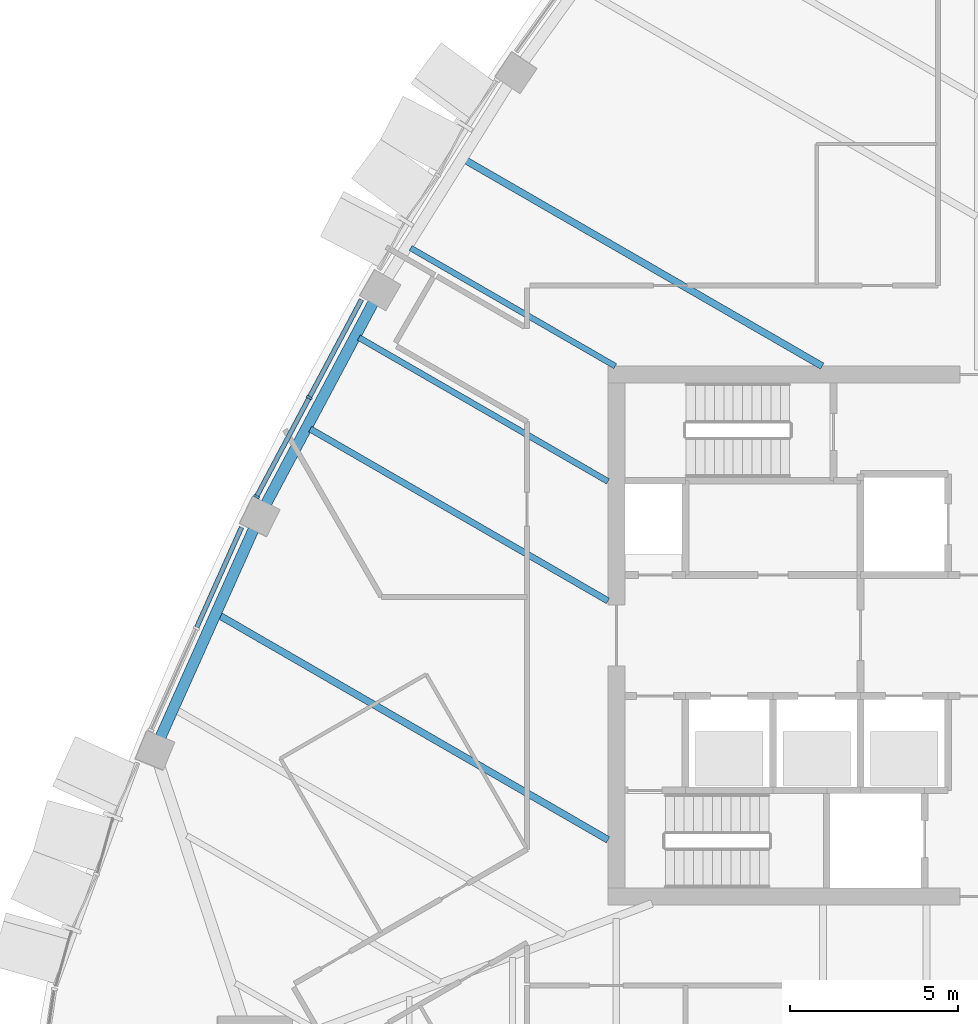
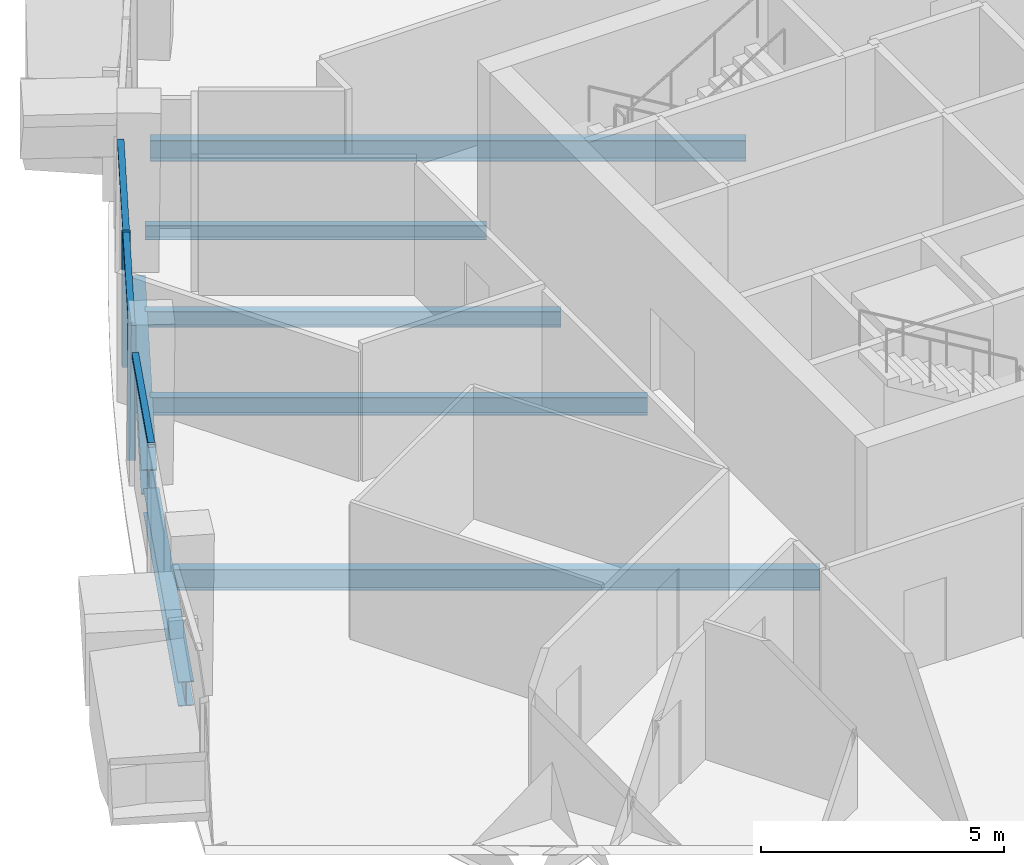
# One storey, part 4 of 21: 7 beams, 5 members, 2 elements without a shape of their own.
"""IFC4 building model written with IfcOpenShell, lengths in metres."""

from ifc_helpers import new_model, si_unit, direction, frame, origin, origin_2d, place, context, subcontext, project, spatial, rectangle, i_section, extrude, material, layer, layer_set, material_profile, profile_set, type_object, element, aggregate, save


model = new_model("IFC4")

# Units and contexts
model_context = context("Model", 3, precision=1e-05, world=origin(), true_north=direction((0.0, 1.0)))
body_context = subcontext(model_context, "Body", "Model", "MODEL_VIEW")
ifc_project = project(units=[si_unit("LENGTHUNIT", "METRE"), si_unit("AREAUNIT", "SQUARE_METRE"), si_unit("VOLUMEUNIT", "CUBIC_METRE"), si_unit("PLANEANGLEUNIT", "RADIAN"), si_unit("MASSUNIT", "GRAM", prefix="KILO")], contexts=[model_context])

# Site, building, storey
site_placement = place(None, origin())
site = spatial("IfcSite", under=ifc_project, at=site_placement, CompositionType="ELEMENT")
building_placement = place(site_placement, origin())
building = spatial("IfcBuilding", under=site, at=building_placement, Name="Sierra Prisma Convention Tower", CompositionType="ELEMENT")
storey_placement = place(building_placement, frame((0.0, 0.0, 259.0)))
storey = spatial("IfcBuildingStorey", under=building, at=storey_placement, Name="L58", CompositionType="ELEMENT", Elevation=259.0)

# Curtain wall, members
ifc_material_1 = material(Name="Aluminium and glass curtain wall", Category="aluminium")
ifc_layer = layer(ifc_material_1, 0.179931640625)
ifc_layer_set = layer_set([ifc_layer], Name="CW-1 Plain shaft curtain wall")
curtain_wall_type = type_object("IfcCurtainWallType", Name="CW-1 Plain shaft curtain wall", PredefinedType="NOTDEFINED", material=ifc_layer_set)
curtain_wall_1_placement = place(storey_placement, origin())
curtain_wall_1 = element("IfcCurtainWall", 1, at=curtain_wall_1_placement, inside=storey, type_object=curtain_wall_type, Name="CW-1 NW4 L58", PredefinedType="NOTDEFINED")
ifc_material_2 = material(Name="Aluminium 6063-T6 bronze anodised", Category="aluminium")
ifc_material_profile_1 = material_profile(ifc_material_2, rectangle(XDim=0.179931640625, YDim=0.070068359375, at=origin_2d()), Name="ALU MULLION 70x180")
ifc_profile_set_1 = profile_set([ifc_material_profile_1], Name="Aluminium 6063-T6 bronze anodised")
member_type_1 = type_object("IfcMemberType", Name="CW mullion bronze", PredefinedType="MULLION", material=ifc_profile_set_1)
member_1_placement = place(storey_placement, frame((-19.870849609375, 7.067138671875, 0.0), z_axis=(0.0, 0.0, 1.0), x_axis=(0.882632882118, -0.470062969616, 0.0)))
member_1 = element("IfcMember", 2, at=member_1_placement, type_object=member_type_1, Name="CW-1 mullion NW4.2", PredefinedType="MULLION", context=body_context, shape_type="SweptSolid", body=[
    extrude(rectangle(XDim=0.179931640625, YDim=0.070068359375, at=origin_2d()), origin(), (0.0, 0.0, 1.0), 3.39990234375),
])
member_2_placement = place(storey_placement, frame((-21.437255859375, 4.1259765625, 0.0), z_axis=(0.0, 0.0, 1.0), x_axis=(0.882632882118, -0.470062969616, 0.0)))
member_2 = element("IfcMember", 3, at=member_2_placement, type_object=member_type_1, Name="CW-1 mullion NW4.3", PredefinedType="MULLION", context=body_context, shape_type="SweptSolid", body=[
    extrude(rectangle(XDim=0.179931640625, YDim=0.070068359375, at=origin_2d()), origin(), (0.0, 0.0, 1.0), 3.39990234375),
])
ifc_material_3 = material(Name="Aluminium 6063-T6 bronze anodised", Category="aluminium")
ifc_material_profile_2 = material_profile(ifc_material_3, rectangle(XDim=0.139892578125, YDim=0.1201171875, at=origin_2d()), Name="ALU TRANSOM 120x140")
ifc_profile_set_2 = profile_set([ifc_material_profile_2], Name="Aluminium 6063-T6 bronze anodised")
member_type_2 = type_object("IfcMemberType", Name="CW transom bronze", PredefinedType="USERDEFINED", material=ifc_profile_set_2)
member_3_placement = place(storey_placement, frame((-18.32080078125, 9.9775390625, 3.340087890625), z_axis=(-0.470055998823, -0.882636594511, 0.0), x_axis=(0.882636594511, -0.470055998823, 0.0)))
member_3 = element("IfcMember", 4, at=member_3_placement, type_object=member_type_2, Name="CW-1 transom NW4.1", ObjectType="TRANSOM", PredefinedType="USERDEFINED", context=body_context, shape_type="SweptSolid", body=[
    extrude(rectangle(XDim=0.139892578125, YDim=0.1201171875, at=origin_2d()), origin(), (0.0, 0.0, 1.0), 3.26220703125),
])
member_4_placement = place(storey_placement, frame((-19.88720703125, 7.036376953125, 3.340087890625), z_axis=(-0.470024951246, -0.882653128475, 0.0), x_axis=(0.882653128475, -0.470024951246, 0.0)))
member_4 = element("IfcMember", 5, at=member_4_placement, type_object=member_type_2, Name="CW-1 transom NW4.2", ObjectType="TRANSOM", PredefinedType="USERDEFINED", context=body_context, shape_type="SweptSolid", body=[
    extrude(rectangle(XDim=0.139892578125, YDim=0.1201171875, at=origin_2d()), origin(), (0.0, 0.0, 1.0), 3.262451171875),
])
aggregate(curtain_wall_1, [member_1, member_2, member_3, member_4])

# Curtain wall, member
curtain_wall_2_placement = place(storey_placement, origin())
curtain_wall_2 = element("IfcCurtainWall", 6, at=curtain_wall_2_placement, inside=storey, type_object=curtain_wall_type, Name="CW-1 NW5 L58", PredefinedType="NOTDEFINED")
member_5_placement = place(storey_placement, frame((-21.88330078125, 3.21240234375, 3.340087890625), z_axis=(-0.408600217166, -0.912713461351, 0.0), x_axis=(0.912713461351, -0.408600217166, 0.0)))
member_5 = element("IfcMember", 7, at=member_5_placement, type_object=member_type_2, Name="CW-1 transom NW5.1", ObjectType="TRANSOM", PredefinedType="USERDEFINED", context=body_context, shape_type="SweptSolid", body=[
    extrude(rectangle(XDim=0.139892578125, YDim=0.1201171875, at=origin_2d()), origin(), (0.0, 0.0, 1.0), 3.246337890625),
])
aggregate(curtain_wall_2, [member_5])

# Beams
ifc_material_4 = material(Name="Steel ASTM A992 Gr 50", Category="steel")
ifc_material_profile_3 = material_profile(ifc_material_4, i_section(OverallWidth=0.172119140625, OverallDepth=0.35791015625, WebThickness=0.0078125, FlangeThickness=0.01318359375, at=origin_2d()), Name="W360x57")
ifc_profile_set_3 = profile_set([ifc_material_profile_3], Name="Steel ASTM A992 Gr 50")
beam_type_1 = type_object("IfcBeamType", Name="Floor joist W360x57", PredefinedType="JOIST", material=ifc_profile_set_3)
beam_1_placement = place(storey_placement, frame((-16.86181640625, 11.509521484375, -0.3291015625), z_axis=(0.866023400644, -0.500003469526, 0.0), x_axis=(0.500003469526, 0.866023400644, 0.0)))
element("IfcBeam", 8, at=beam_1_placement, inside=storey, type_object=beam_type_1, Name="Floor joist L58 NW07", PredefinedType="JOIST", context=body_context, shape_type="SweptSolid", body=[
    extrude(i_section(OverallWidth=0.172119140625, OverallDepth=0.35791015625, WebThickness=0.0078125, FlangeThickness=0.01318359375, at=origin_2d()), origin(), (0.0, 0.0, 1.0), 7.01904296875),
])
ifc_material_5 = material(Name="Steel ASTM A992 Gr 50", Category="steel")
ifc_material_profile_4 = material_profile(ifc_material_5, i_section(OverallWidth=0.177978515625, OverallDepth=0.406982421875, WebThickness=0.0078125, FlangeThickness=0.0126953125, at=origin_2d()), Name="W410x60")
ifc_profile_set_4 = profile_set([ifc_material_profile_4], Name="Steel ASTM A992 Gr 50")
beam_type_2 = type_object("IfcBeamType", Name="Floor joist W410x60", PredefinedType="JOIST", material=ifc_profile_set_4)
beam_2_placement = place(storey_placement, frame((-18.3984375, 8.84814453125, -0.353515625), z_axis=(0.866025682925, -0.499999516514, 0.0), x_axis=(0.499999516514, 0.866025682925, 0.0)))
element("IfcBeam", 9, at=beam_2_placement, inside=storey, type_object=beam_type_2, Name="Floor joist L58 NW08", PredefinedType="JOIST", context=body_context, shape_type="SweptSolid", body=[
    extrude(i_section(OverallWidth=0.177978515625, OverallDepth=0.406982421875, WebThickness=0.0078125, FlangeThickness=0.0126953125, at=origin_2d()), origin(), (0.0, 0.0, 1.0), 8.54296875),
])
ifc_material_6 = material(Name="Steel ASTM A992 Gr 50", Category="steel")
ifc_material_profile_5 = material_profile(ifc_material_6, i_section(OverallWidth=0.18994140625, OverallDepth=0.45703125, WebThickness=0.009033203125, FlangeThickness=0.014404296875, at=origin_2d()), Name="W460x74")
ifc_profile_set_5 = profile_set([ifc_material_profile_5], Name="Steel ASTM A992 Gr 50")
beam_type_3 = type_object("IfcBeamType", Name="Floor joist W460x74", PredefinedType="JOIST", material=ifc_profile_set_5)
beam_3_placement = place(storey_placement, frame((-19.843994140625, 6.134033203125, -0.37841796875), z_axis=(0.866030719518, -0.499990792767, 0.0), x_axis=(0.499990792767, 0.866030719518, 0.0)))
element("IfcBeam", 10, at=beam_3_placement, inside=storey, type_object=beam_type_3, Name="Floor joist L58 NW09", PredefinedType="JOIST", context=body_context, shape_type="SweptSolid", body=[
    extrude(i_section(OverallWidth=0.18994140625, OverallDepth=0.45703125, WebThickness=0.009033203125, FlangeThickness=0.014404296875, at=origin_2d()), origin(), (0.0, 0.0, 1.0), 10.212158203125),
])
ifc_material_7 = material(Name="Steel ASTM A992 Gr 50", Category="steel")
ifc_material_profile_6 = material_profile(ifc_material_7, i_section(OverallWidth=0.208984375, OverallDepth=0.532958984375, WebThickness=0.01025390625, FlangeThickness=0.015625, at=origin_2d()), Name="W530x92")
ifc_profile_set_6 = profile_set([ifc_material_profile_6], Name="Steel ASTM A992 Gr 50")
beam_type_4 = type_object("IfcBeamType", Name="Floor joist W530x92", PredefinedType="JOIST", material=ifc_profile_set_6)
beam_4_placement = place(storey_placement, frame((-15.234130859375, 14.1181640625, -0.41650390625), z_axis=(0.866029427854, -0.499993030042, 0.0), x_axis=(0.499993030042, 0.866029427854, 0.0)))
element("IfcBeam", 11, at=beam_4_placement, inside=storey, type_object=beam_type_4, Name="Floor joist L58 NW06", PredefinedType="JOIST", context=body_context, shape_type="SweptSolid", body=[
    extrude(i_section(OverallWidth=0.208984375, OverallDepth=0.532958984375, WebThickness=0.01025390625, FlangeThickness=0.015625, at=origin_2d()), origin(), (0.0, 0.0, 1.0), 12.236572265625),
])
beam_5_placement = place(storey_placement, frame((-22.547119140625, 0.59765625, -0.41650390625), z_axis=(0.86602489383, -0.500000883266, 0.0), x_axis=(0.500000883266, 0.86602489383, 0.0)))
element("IfcBeam", 12, at=beam_5_placement, inside=storey, type_object=beam_type_4, Name="Floor joist L58 NW11", PredefinedType="JOIST", context=body_context, shape_type="SweptSolid", body=[
    extrude(i_section(OverallWidth=0.208984375, OverallDepth=0.532958984375, WebThickness=0.01025390625, FlangeThickness=0.015625, at=origin_2d()), origin(), (0.0, 0.0, 1.0), 13.33349609375),
])
ifc_material_8 = material(Name="Steel ASTM A992 Gr 50", Category="steel")
ifc_material_profile_7 = material_profile(ifc_material_8, i_section(OverallWidth=0.324951171875, OverallDepth=0.615966796875, WebThickness=0.013916015625, FlangeThickness=0.021484375, at=origin_2d()), Name="W610x174")
ifc_profile_set_7 = profile_set([ifc_material_profile_7], Name="Steel ASTM A992 Gr 50")
beam_type_5 = type_object("IfcBeamType", Name="Spandrel beam W610x174", PredefinedType="BEAM", material=ifc_profile_set_7)
for number, where, z_axis, x_axis, name in (
    (13, (-17.928466796875, 9.969970703125, -0.4580078125), (-0.470054884709, -0.882637187842, 0.0), (0.882637187842, -0.470054884709, 0.0), "Spandrel L58-16"),
    (14, (-21.491455078125, 3.23193359375, -0.4580078125), (-0.408583644989, -0.912720880142, 0.0), (0.912720880142, -0.408583644989, 0.0), "Spandrel L58-17"),
):
    element("IfcBeam", number, at=place(storey_placement, frame(where, z_axis=z_axis, x_axis=x_axis)), inside=storey, type_object=beam_type_5, Name=name, PredefinedType="BEAM", context=body_context, shape_type="SweptSolid", body=[
        extrude(i_section(OverallWidth=0.324951171875, OverallDepth=0.615966796875, WebThickness=0.013916015625, FlangeThickness=0.021484375, at=origin_2d()), origin(), (0.0, 0.0, 1.0), 6.96240234375),
    ])

save(model, "model.ifc")
